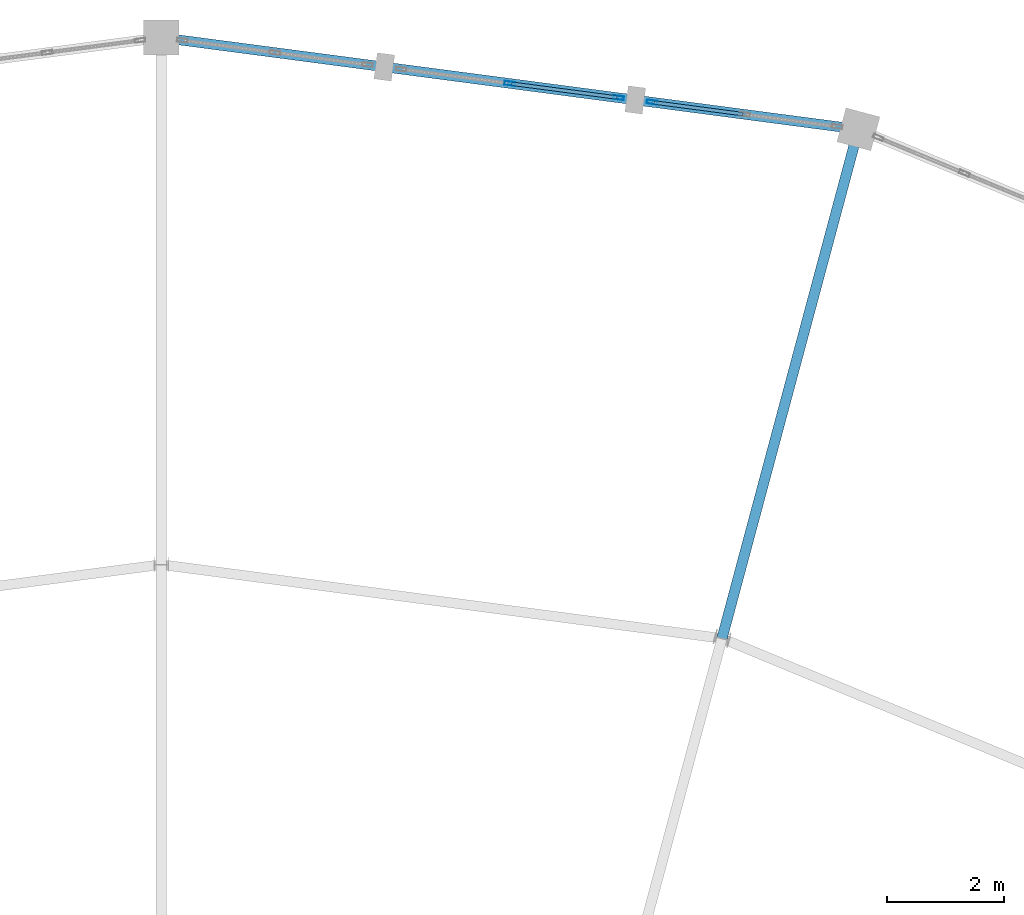
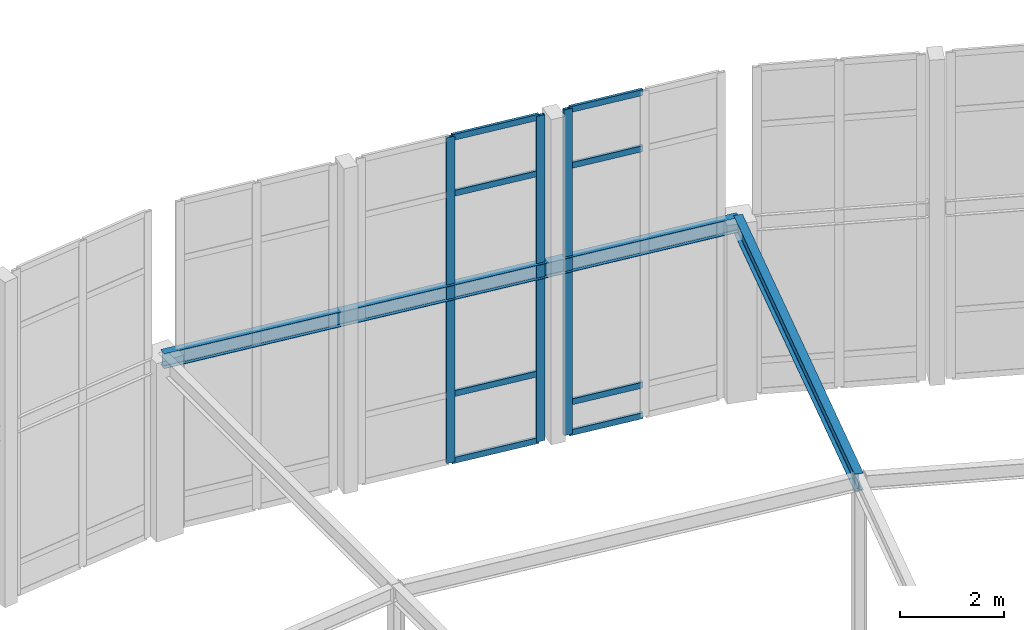
# One storey, part 54 of 93: 11 members, 2 beams, 2 elements without a shape of their own.
"""IFC4 building model written with IfcOpenShell, lengths in metres."""

from ifc_helpers import new_model, si_unit, direction, frame, origin, origin_2d, place, context, subcontext, project, spatial, hollow_rectangle, i_section, extrude, material, material_profile, profile_set, type_object, element, aggregate, save


model = new_model("IFC4")

# Units and contexts
model_context = context("Model", 3, precision=1e-05, world=origin(), true_north=direction((0.0, 1.0)))
body_context = subcontext(model_context, "Body", "Model", "MODEL_VIEW")
ifc_project = project(units=[si_unit("LENGTHUNIT", "METRE"), si_unit("AREAUNIT", "SQUARE_METRE"), si_unit("VOLUMEUNIT", "CUBIC_METRE"), si_unit("PLANEANGLEUNIT", "RADIAN"), si_unit("MASSUNIT", "GRAM", prefix="KILO")], contexts=[model_context])

# Site, building, storey
site_placement = place(None, origin())
site = spatial("IfcSite", under=ifc_project, at=site_placement, CompositionType="ELEMENT")
building_placement = place(site_placement, origin())
building = spatial("IfcBuilding", under=site, at=building_placement, Name="Vondelvale Polytechnic", CompositionType="ELEMENT")
storey_placement = place(building_placement, frame((0.0, 0.0, 18.0)))
storey = spatial("IfcBuildingStorey", under=building, at=storey_placement, Name="L04", CompositionType="ELEMENT", Elevation=18.0)

# Beams
ifc_material_1 = material(Name="Steel 300PLUS (fy = 300 MPa)", Category="steel")
ifc_material_profile_1 = material_profile(ifc_material_1, i_section(OverallWidth=0.1708984375, OverallDepth=0.35205078125, WebThickness=0.0068359375, FlangeThickness=0.009765625, FilletRadius=0.011474609375, at=origin_2d()), Name="360UB44.7")
ifc_profile_set_1 = profile_set([ifc_material_profile_1], Name="Steel 300PLUS (fy = 300 MPa)")
beam_type_1 = type_object("IfcBeamType", Name="BM-UB360L", PredefinedType="BEAM", material=ifc_profile_set_1)
beam_1_placement = place(storey_placement, frame((113.90576171875, 116.4326171875, 4.02392578125), z_axis=(-0.991445297315, 0.130522880875, 0.0), x_axis=(-0.130522880875, -0.991445297315, 0.0)))
element("IfcBeam", 1, at=beam_1_placement, inside=storey, type_object=beam_type_1, Name="L04 RE B-24", PredefinedType="BEAM", context=body_context, shape_type="SweptSolid", body=[
    extrude(i_section(OverallWidth=0.1708984375, OverallDepth=0.35205078125, WebThickness=0.0068359375, FlangeThickness=0.009765625, FilletRadius=0.011474609375, at=origin_2d()), origin(), (0.0, 0.0, 1.0), 12.008544921875),
])
ifc_material_profile_2 = material_profile(ifc_material_1, i_section(OverallWidth=0.177978515625, OverallDepth=0.403076171875, WebThickness=0.007568359375, FlangeThickness=0.010986328125, FilletRadius=0.011474609375, at=origin_2d()), Name="410UB53.7")
ifc_profile_set_2 = profile_set([ifc_material_profile_2], Name="Steel 300PLUS (fy = 300 MPa)")
beam_type_2 = type_object("IfcBeamType", Name="BM-UB410L", PredefinedType="BEAM", material=ifc_profile_set_2)
beam_2_placement = place(storey_placement, frame((111.576416015625, 107.7392578125, 3.99853515625), z_axis=(0.25881563226, 0.965926740751, 0.0), x_axis=(-0.965926740751, 0.25881563226, 0.0)))
element("IfcBeam", 2, at=beam_2_placement, inside=storey, type_object=beam_type_2, Name="L04 REG B-23", PredefinedType="BEAM", context=body_context, shape_type="SweptSolid", body=[
    extrude(i_section(OverallWidth=0.177978515625, OverallDepth=0.403076171875, WebThickness=0.007568359375, FlangeThickness=0.010986328125, FilletRadius=0.011474609375, at=origin_2d()), origin(), (0.0, 0.0, 1.0), 9.0),
])

# Curtain wall, member
ifc_material_2 = material(Name="Glulam GL18 structural Tasmanian oak (fb = 42 MPa)", Category="wood")
curtain_wall_type = type_object("IfcCurtainWallType", Name="CW-RING-OUTER", PredefinedType="NOTDEFINED", material=ifc_material_2)
curtain_wall_1_placement = place(storey_placement, origin())
curtain_wall_1 = element("IfcCurtainWall", 3, at=curtain_wall_1_placement, inside=storey, type_object=curtain_wall_type, Name="L04 architectural curtain wall CW-04-148", PredefinedType="NOTDEFINED")
ifc_material_3 = material(Name="Anodised extruded aluminium 6063-T6", Category="aluminium")
ifc_material_profile_3 = material_profile(ifc_material_3, hollow_rectangle(XDim=0.06494140625, YDim=0.179931640625, WallThickness=0.00390625, at=origin_2d()), Name="CW-MUL-180x65")
ifc_profile_set_3 = profile_set([ifc_material_profile_3], Name="Anodised extruded aluminium 6063-T6")
member_type_1 = type_object("IfcMemberType", Name="CW-MUL-65x180", PredefinedType="MULLION", material=ifc_profile_set_3)
member_1_placement = place(storey_placement, frame((110.380859375, 116.896728515625, 0.0), z_axis=(0.0, 0.0, 1.0), x_axis=(-0.130539547729, -0.991443102996, 0.0)))
member_1 = element("IfcMember", 4, at=member_1_placement, type_object=member_type_1, Name="CW-04-148 mullion 3", PredefinedType="MULLION", context=body_context, shape_type="SweptSolid", body=[
    extrude(hollow_rectangle(XDim=0.06494140625, YDim=0.179931640625, WallThickness=0.00390625, at=origin_2d()), origin(), (0.0, 0.0, 1.0), 7.661376953125),
])

# Curtain wall, members
curtain_wall_2_placement = place(storey_placement, origin())
curtain_wall_2 = element("IfcCurtainWall", 5, at=curtain_wall_2_placement, inside=storey, type_object=curtain_wall_type, Name="L04 architectural curtain wall CW-04-149", PredefinedType="NOTDEFINED")
member_2_placement = place(storey_placement, frame((109.810791015625, 116.9716796875, 0.0), z_axis=(0.0, 0.0, 1.0), x_axis=(-0.130497251349, -0.991448671082, 0.0)))
member_2 = element("IfcMember", 6, at=member_2_placement, type_object=member_type_1, Name="CW-04-149 mullion 1", PredefinedType="MULLION", context=body_context, shape_type="SweptSolid", body=[
    extrude(hollow_rectangle(XDim=0.06494140625, YDim=0.179931640625, WallThickness=0.00390625, at=origin_2d()), origin(), (0.0, 0.0, 1.0), 7.661376953125),
])
member_3_placement = place(storey_placement, frame((107.952880859375, 117.21630859375, 0.0), z_axis=(0.0, 0.0, 1.0), x_axis=(-0.130497251349, -0.991448671082, 0.0)))
member_3 = element("IfcMember", 7, at=member_3_placement, type_object=member_type_1, Name="CW-04-149 mullion 2", PredefinedType="MULLION", context=body_context, shape_type="SweptSolid", body=[
    extrude(hollow_rectangle(XDim=0.06494140625, YDim=0.179931640625, WallThickness=0.00390625, at=origin_2d()), origin(), (0.0, 0.0, 1.0), 7.661376953125),
])

# Member
ifc_material_profile_4 = material_profile(ifc_material_3, hollow_rectangle(XDim=0.06005859375, YDim=0.139892578125, WallThickness=0.00341796875, at=origin_2d()), Name="CW-TRN-140x60")
ifc_profile_set_4 = profile_set([ifc_material_profile_4], Name="Anodised extruded aluminium 6063-T6")
member_type_2 = type_object("IfcMemberType", Name="CW-TRN-60x140", PredefinedType="USERDEFINED", material=ifc_profile_set_4)
member_4_placement = place(storey_placement, frame((111.929931640625, 116.692626953125, 0.030029296875), z_axis=(-0.991443972703, 0.130532942165, 0.0), x_axis=(-0.130532942165, -0.991443972703, 0.0)))
member_4 = element("IfcMember", 8, at=member_4_placement, type_object=member_type_2, Name="CW-04-148 transom 2.1", ObjectType="TRANSOM", PredefinedType="USERDEFINED", context=body_context, shape_type="SweptSolid", body=[
    extrude(hollow_rectangle(XDim=0.06005859375, YDim=0.139892578125, WallThickness=0.00341796875, at=origin_2d()), origin(), (0.0, 0.0, 1.0), 1.530029296875),
])

member_5_placement = place(storey_placement, frame((111.929931640625, 116.692626953125, 0.75), z_axis=(-0.991443972703, 0.130532942165, 0.0), x_axis=(-0.130532942165, -0.991443972703, 0.0)))
member_5 = element("IfcMember", 9, at=member_5_placement, type_object=member_type_2, Name="CW-04-148 transom 2.2", ObjectType="TRANSOM", PredefinedType="USERDEFINED", context=body_context, shape_type="SweptSolid", body=[
    extrude(hollow_rectangle(XDim=0.06005859375, YDim=0.139892578125, WallThickness=0.00341796875, at=origin_2d()), origin(), (0.0, 0.0, 1.0), 1.530029296875),
])

member_6_placement = place(storey_placement, frame((111.929931640625, 116.692626953125, 6.311279296875), z_axis=(-0.991443972703, 0.130532942165, 0.0), x_axis=(-0.130532942165, -0.991443972703, 0.0)))
member_6 = element("IfcMember", 10, at=member_6_placement, type_object=member_type_2, Name="CW-04-148 transom 2.3", ObjectType="TRANSOM", PredefinedType="USERDEFINED", context=body_context, shape_type="SweptSolid", body=[
    extrude(hollow_rectangle(XDim=0.06005859375, YDim=0.139892578125, WallThickness=0.00341796875, at=origin_2d()), origin(), (0.0, 0.0, 1.0), 1.530029296875),
])

member_7_placement = place(storey_placement, frame((111.929931640625, 116.692626953125, 7.63134765625), z_axis=(-0.991443972703, 0.130532942165, 0.0), x_axis=(-0.130532942165, -0.991443972703, 0.0)))
member_7 = element("IfcMember", 11, at=member_7_placement, type_object=member_type_2, Name="CW-04-148 transom 2.4", ObjectType="TRANSOM", PredefinedType="USERDEFINED", context=body_context, shape_type="SweptSolid", body=[
    extrude(hollow_rectangle(XDim=0.06005859375, YDim=0.139892578125, WallThickness=0.00341796875, at=origin_2d()), origin(), (0.0, 0.0, 1.0), 1.530029296875),
])

aggregate(curtain_wall_1, [member_1, member_4, member_5, member_6, member_7])

member_8_placement = place(storey_placement, frame((109.778564453125, 116.97607421875, 0.030029296875), z_axis=(-0.991446943979, 0.130510372288, 0.0), x_axis=(-0.130510372288, -0.991446943979, 0.0)))
member_8 = element("IfcMember", 12, at=member_8_placement, type_object=member_type_2, Name="CW-04-149 transom 1.1", ObjectType="TRANSOM", PredefinedType="USERDEFINED", context=body_context, shape_type="SweptSolid", body=[
    extrude(hollow_rectangle(XDim=0.06005859375, YDim=0.139892578125, WallThickness=0.00341796875, at=origin_2d()), origin(), (0.0, 0.0, 1.0), 1.808837890625),
])

member_9_placement = place(storey_placement, frame((109.778564453125, 116.97607421875, 1.60009765625), z_axis=(-0.991446943979, 0.130510372288, 0.0), x_axis=(-0.130510372288, -0.991446943979, 0.0)))
member_9 = element("IfcMember", 13, at=member_9_placement, type_object=member_type_2, Name="CW-04-149 transom 1.2", ObjectType="TRANSOM", PredefinedType="USERDEFINED", context=body_context, shape_type="SweptSolid", body=[
    extrude(hollow_rectangle(XDim=0.06005859375, YDim=0.139892578125, WallThickness=0.00341796875, at=origin_2d()), origin(), (0.0, 0.0, 1.0), 1.808837890625),
])

member_10_placement = place(storey_placement, frame((109.778564453125, 116.97607421875, 6.311279296875), z_axis=(-0.991446943979, 0.130510372288, 0.0), x_axis=(-0.130510372288, -0.991446943979, 0.0)))
member_10 = element("IfcMember", 14, at=member_10_placement, type_object=member_type_2, Name="CW-04-149 transom 1.3", ObjectType="TRANSOM", PredefinedType="USERDEFINED", context=body_context, shape_type="SweptSolid", body=[
    extrude(hollow_rectangle(XDim=0.06005859375, YDim=0.139892578125, WallThickness=0.00341796875, at=origin_2d()), origin(), (0.0, 0.0, 1.0), 1.808837890625),
])

member_11_placement = place(storey_placement, frame((109.778564453125, 116.97607421875, 7.63134765625), z_axis=(-0.991446943979, 0.130510372288, 0.0), x_axis=(-0.130510372288, -0.991446943979, 0.0)))
member_11 = element("IfcMember", 15, at=member_11_placement, type_object=member_type_2, Name="CW-04-149 transom 1.4", ObjectType="TRANSOM", PredefinedType="USERDEFINED", context=body_context, shape_type="SweptSolid", body=[
    extrude(hollow_rectangle(XDim=0.06005859375, YDim=0.139892578125, WallThickness=0.00341796875, at=origin_2d()), origin(), (0.0, 0.0, 1.0), 1.808837890625),
])

aggregate(curtain_wall_2, [member_2, member_3, member_8, member_9, member_10, member_11])

save(model, "model.ifc")
